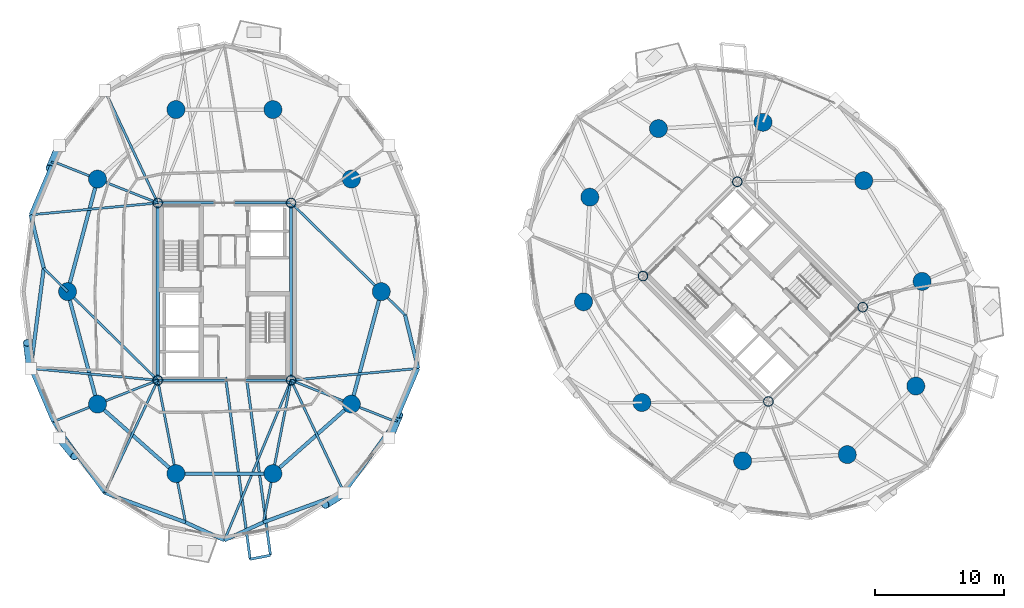
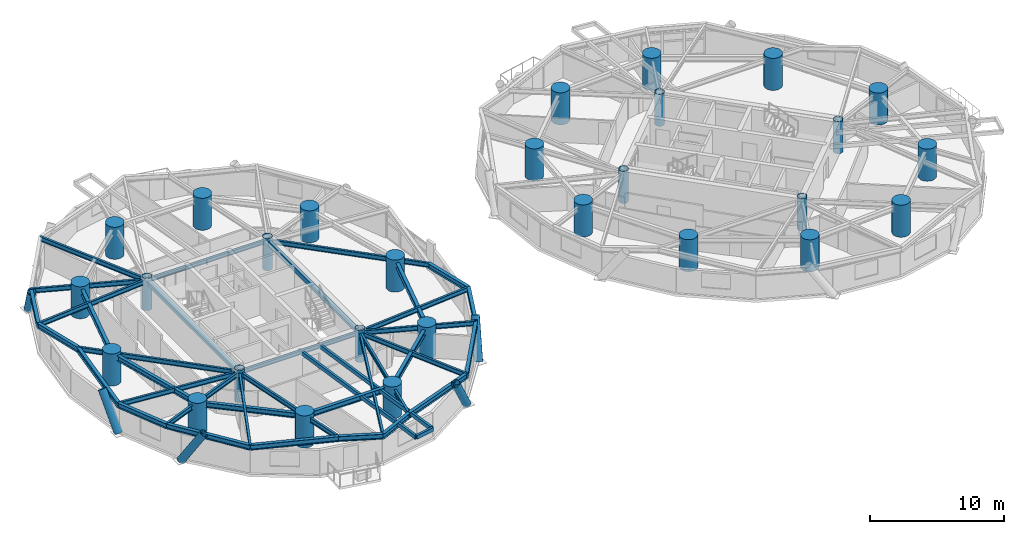
# One storey, part 1 of 18: 40 beams, 28 columns, 5 members.
"""IFC4 building model written with IfcOpenShell, lengths in metres."""

from ifc_helpers import new_model, si_unit, direction, frame, origin, origin_2d, place, context, subcontext, project, spatial, hollow_rectangle, circle, hollow_circle, i_section, extrude, material, material_profile, profile_set, type_object, element, save


model = new_model("IFC4")

# Units and contexts
model_context = context("Model", 3, precision=1e-05, world=origin(), true_north=direction((0.0, 1.0)))
body_context = subcontext(model_context, "Body", "Model", "MODEL_VIEW")
ifc_project = project(units=[si_unit("LENGTHUNIT", "METRE"), si_unit("AREAUNIT", "SQUARE_METRE"), si_unit("VOLUMEUNIT", "CUBIC_METRE"), si_unit("PLANEANGLEUNIT", "RADIAN"), si_unit("MASSUNIT", "GRAM", prefix="KILO")], contexts=[model_context])

# Site, building, storey
site_placement = place(None, origin())
site = spatial("IfcSite", under=ifc_project, at=site_placement, CompositionType="ELEMENT")
building_placement = place(site_placement, origin())
building = spatial("IfcBuilding", under=site, at=building_placement, Name="Cununo Teusaquillo Station Towers", CompositionType="ELEMENT")
storey_placement = place(building_placement, frame((0.0, 0.0, 119.6201171875)))
storey = spatial("IfcBuildingStorey", under=building, at=storey_placement, Name="L38", CompositionType="ELEMENT", Elevation=119.6201171875)

# Columns
ifc_material_1 = material(Name="Steel EN 10025-2 S355J2", Category="steel")
ifc_material_profile_1 = material_profile(ifc_material_1, hollow_circle(Radius=0.3798828125, WallThickness=0.031982421875, at=origin_2d()), Name="CHS 760x32")
ifc_profile_set_1 = profile_set([ifc_material_profile_1], Name="Steel EN 10025-2 S355J2")
column_type_1 = type_object("IfcColumnType", Name="COL-CORE-Z2", PredefinedType="COLUMN", material=ifc_profile_set_1)
for number, where, z_axis, x_axis, name in (
    (1, (11.324951171875, 17.6201171875, 0.0), (0.0, 0.0, 1.0), (1.0, 0.0, 0.0), "L38 Tower A Core Column 1"),
    (2, (11.324951171875, 31.3798828125, 0.0), (0.0, 0.0, 1.0), (1.0, 0.0, 0.0), "L38 Tower A Core Column 2"),
    (3, (21.675048828125, 17.6201171875, 0.0), (0.0, 0.0, 1.0), (1.0, 0.0, 0.0), "L38 Tower A Core Column 3"),
    (4, (21.675048828125, 31.3798828125, 0.0), (0.0, 0.0, 1.0), (1.0, 0.0, 0.0), "L38 Tower A Core Column 4"),
    (5, (58.70556640625, 15.975830078125, 0.0), (0.0, 0.0, 1.0), (0.707106781187, 0.707106781187, 0.0), "L38 Tower B Core Column 1"),
    (6, (48.975830078125, 25.70556640625, 0.0), (0.0, 0.0, 1.0), (0.707106781187, 0.707106781187, 0.0), "L38 Tower B Core Column 2"),
    (7, (66.024169921875, 23.29443359375, 0.0), (0.0, 0.0, 1.0), (0.707106781187, 0.707106781187, 0.0), "L38 Tower B Core Column 3"),
    (8, (56.29443359375, 33.024169921875, 0.0), (0.0, 0.0, 1.0), (0.707106781187, 0.707106781187, 0.0), "L38 Tower B Core Column 4"),
):
    element("IfcColumn", number, at=place(storey_placement, frame(where, z_axis=z_axis, x_axis=x_axis)), inside=storey, type_object=column_type_1, Name=name, PredefinedType="COLUMN", context=body_context, shape_type="SweptSolid", body=[
        extrude(hollow_circle(Radius=0.3798828125, WallThickness=0.031982421875, at=origin_2d()), origin(), (0.0, 0.0, 1.0), 2.909912109375),
    ])
ifc_material_2 = material(Name="Concrete C60/75", Category="concrete")
ifc_material_profile_2 = material_profile(ifc_material_2, circle(Radius=0.699951171875, at=origin_2d()), Name="RC-CIRC-1400")
ifc_profile_set_2 = profile_set([ifc_material_profile_2], Name="Concrete C60/75")
column_type_2 = type_object("IfcColumnType", Name="COL-MEGA-Z2", PredefinedType="USERDEFINED", material=ifc_profile_set_2)
for number, where, z_axis, x_axis, name in (
    (9, (28.672119140625, 24.5, 0.0), (0.0, 0.0, 1.0), (1.0, 0.0, 0.0), "L38 Tower A Perimeter Column V00"),
    (10, (26.347412109375, 33.228515625, 0.0), (0.0, 0.0, 1.0), (1.0, 0.0, 0.0), "L38 Tower A Perimeter Column V02"),
    (11, (20.261474609375, 38.623291015625, 0.0), (0.0, 0.0, 1.0), (1.0, 0.0, 0.0), "L38 Tower A Perimeter Column V04"),
    (12, (12.738525390625, 38.623291015625, 0.0), (0.0, 0.0, 1.0), (1.0, 0.0, 0.0), "L38 Tower A Perimeter Column V06"),
    (13, (6.652587890625, 33.228515625, 0.0), (0.0, 0.0, 1.0), (1.0, 0.0, 0.0), "L38 Tower A Perimeter Column V08"),
    (14, (4.327880859375, 24.5, 0.0), (0.0, 0.0, 1.0), (1.0, 0.0, 0.0), "L38 Tower A Perimeter Column V10"),
    (15, (6.652587890625, 15.771484375, 0.0), (0.0, 0.0, 1.0), (1.0, 0.0, 0.0), "L38 Tower A Perimeter Column V12"),
    (16, (12.738525390625, 10.376708984375, 0.0), (0.0, 0.0, 1.0), (1.0, 0.0, 0.0), "L38 Tower A Perimeter Column V14"),
    (17, (20.261474609375, 10.376708984375, 0.0), (0.0, 0.0, 1.0), (1.0, 0.0, 0.0), "L38 Tower A Perimeter Column V16"),
    (18, (26.347412109375, 15.771484375, 0.0), (0.0, 0.0, 1.0), (1.0, 0.0, 0.0), "L38 Tower A Perimeter Column V18"),
    (19, (66.10693359375, 33.10693359375, 0.0), (0.0, 0.0, 1.0), (1.0, 0.0, 0.0), "L38 Tower B Perimeter Column V00"),
    (20, (58.291015625, 37.63525390625, 0.0), (0.0, 0.0, 1.0), (1.0, 0.0, 0.0), "L38 Tower B Perimeter Column V02"),
    (21, (50.173095703125, 37.146240234375, 0.0), (0.0, 0.0, 1.0), (1.0, 0.0, 0.0), "L38 Tower B Perimeter Column V04"),
    (22, (44.853759765625, 31.826904296875, 0.0), (0.0, 0.0, 1.0), (1.0, 0.0, 0.0), "L38 Tower B Perimeter Column V06"),
    (23, (44.36474609375, 23.708984375, 0.0), (0.0, 0.0, 1.0), (1.0, 0.0, 0.0), "L38 Tower B Perimeter Column V08"),
    (24, (48.89306640625, 15.89306640625, 0.0), (0.0, 0.0, 1.0), (1.0, 0.0, 0.0), "L38 Tower B Perimeter Column V10"),
    (25, (56.708984375, 11.36474609375, 0.0), (0.0, 0.0, 1.0), (1.0, 0.0, 0.0), "L38 Tower B Perimeter Column V12"),
    (26, (64.826904296875, 11.853759765625, 0.0), (0.0, 0.0, 1.0), (1.0, 0.0, 0.0), "L38 Tower B Perimeter Column V14"),
    (27, (70.146240234375, 17.173095703125, 0.0), (0.0, 0.0, 1.0), (1.0, 0.0, 0.0), "L38 Tower B Perimeter Column V16"),
    (28, (70.63525390625, 25.291015625, 0.0), (0.0, 0.0, 1.0), (1.0, 0.0, 0.0), "L38 Tower B Perimeter Column V18"),
):
    element("IfcColumn", number, at=place(storey_placement, frame(where, z_axis=z_axis, x_axis=x_axis)), inside=storey, type_object=column_type_2, Name=name, ObjectType="MEGA COLUMN", PredefinedType="USERDEFINED", context=body_context, shape_type="SweptSolid", body=[
        extrude(circle(Radius=0.699951171875, at=origin_2d()), origin(), (0.0, 0.0, 1.0), 2.909912109375),
    ])

# Beams
ifc_material_3 = material(Name="Steel EN 10025-2 S355J2", Category="steel")
ifc_material_profile_3 = material_profile(ifc_material_3, hollow_rectangle(XDim=0.199951171875, YDim=0.35009765625, WallThickness=0.013916015625, at=origin_2d()), Name="RHS 350x200x14")
ifc_profile_set_3 = profile_set([ifc_material_profile_3], Name="Steel EN 10025-2 S355J2")
beam_type_1 = type_object("IfcBeamType", Name="BM-BAL-CANT", PredefinedType="BEAM", material=ifc_profile_set_3)
beam_1_placement = place(storey_placement, frame((16.59130859375, 17.85009765625, 2.494873046875), z_axis=(0.133936551357, -0.990989909237, 0.0), x_axis=(0.990989909237, 0.133936551357, 0.0)))
element("IfcBeam", 29, at=beam_1_placement, inside=storey, type_object=beam_type_1, Name="L38 Tower A Balcony Cantilever Bracket 2A", PredefinedType="BEAM", context=body_context, shape_type="SweptSolid", body=[
    extrude(hollow_rectangle(XDim=0.199951171875, YDim=0.35009765625, WallThickness=0.013916015625, at=origin_2d()), origin(), (0.0, 0.0, 1.0), 14.24169921875),
])
beam_2_placement = place(storey_placement, frame((18.206298828125, 17.85009765625, 2.494873046875), z_axis=(0.133960678738, -0.990986648019, 0.0), x_axis=(0.990986648019, 0.133960678738, 0.0)))
element("IfcBeam", 30, at=beam_2_placement, inside=storey, type_object=beam_type_1, Name="L38 Tower A Balcony Cantilever Bracket 2B", PredefinedType="BEAM", context=body_context, shape_type="SweptSolid", body=[
    extrude(hollow_rectangle(XDim=0.199951171875, YDim=0.35009765625, WallThickness=0.013916015625, at=origin_2d()), origin(), (0.0, 0.0, 1.0), 13.9345703125),
])
ifc_material_4 = material(Name="Steel EN 10025-2 S355J2", Category="steel")
ifc_material_profile_4 = material_profile(ifc_material_4, hollow_rectangle(XDim=0.25, YDim=0.449951171875, WallThickness=0.01611328125, at=origin_2d()), Name="RHS 450x250x16")
ifc_profile_set_4 = profile_set([ifc_material_profile_4], Name="Steel EN 10025-2 S355J2")
beam_type_2 = type_object("IfcBeamType", Name="BM-COUP-1", PredefinedType="USERDEFINED", material=ifc_profile_set_4)
for number, where, z_axis, x_axis, name in (
    (31, (11.324951171875, 17.6201171875, 2.44482421875), (0.0, 1.0, 0.0), (-1.0, 0.0, 0.0), "L38 Tower A Core Beam 1"),
    (32, (21.675048828125, 17.6201171875, 2.44482421875), (0.0, 1.0, 0.0), (-1.0, 0.0, 0.0), "L38 Tower A Core Beam 2"),
):
    element("IfcBeam", number, at=place(storey_placement, frame(where, z_axis=z_axis, x_axis=x_axis)), inside=storey, type_object=beam_type_2, Name=name, ObjectType="COUPLING BEAM", PredefinedType="USERDEFINED", context=body_context, shape_type="SweptSolid", body=[
        extrude(hollow_rectangle(XDim=0.25, YDim=0.449951171875, WallThickness=0.01611328125, at=origin_2d()), origin(), (0.0, 0.0, 1.0), 13.759765625),
    ])
ifc_material_5 = material(Name="Steel ASTM A572 Grade 50", Category="steel")
ifc_material_profile_5 = material_profile(ifc_material_5, i_section(OverallWidth=0.180908203125, OverallDepth=0.4169921875, WebThickness=0.010986328125, FlangeThickness=0.018310546875, FilletRadius=0.012939453125, at=origin_2d()), Name="W16X57")
ifc_profile_set_5 = profile_set([ifc_material_profile_5], Name="Steel ASTM A572 Grade 50")
beam_type_3 = type_object("IfcBeamType", Name="BM-JOIST-1", PredefinedType="JOIST", material=ifc_profile_set_5)
beam_3_placement = place(storey_placement, frame((11.324951171875, 31.3798828125, 2.46142578125), z_axis=(-0.426319838016, 0.904572493344, 0.0), x_axis=(-0.904572493344, -0.426319838016, 0.0)))
element("IfcBeam", 33, at=beam_3_placement, inside=storey, type_object=beam_type_3, Name="L38 Tower A Radial Spandrel Joist V07", PredefinedType="JOIST", context=body_context, shape_type="SweptSolid", body=[
    extrude(i_section(OverallWidth=0.180908203125, OverallDepth=0.4169921875, WebThickness=0.010986328125, FlangeThickness=0.018310546875, FilletRadius=0.012939453125, at=origin_2d()), origin(), (0.0, 0.0, 1.0), 9.646728515625),
])
for number, where, z_axis, x_axis, name in (
    (34, (11.324951171875, 31.3798828125, 2.46142578125), (-0.995678537907, -0.09286683558, 0.0), (0.09286683558, -0.995678537907, 0.0), "L38 Tower A Radial Spandrel Joist V09"),
    (35, (11.324951171875, 17.6201171875, 2.46142578125), (-0.995678537907, 0.09286683558, 0.0), (-0.09286683558, -0.995678537907, 0.0), "L38 Tower A Radial Spandrel Joist V11"),
):
    element("IfcBeam", number, at=place(storey_placement, frame(where, z_axis=z_axis, x_axis=x_axis)), inside=storey, type_object=beam_type_3, Name=name, PredefinedType="JOIST", context=body_context, shape_type="SweptSolid", body=[
        extrude(i_section(OverallWidth=0.180908203125, OverallDepth=0.4169921875, WebThickness=0.010986328125, FlangeThickness=0.018310546875, FilletRadius=0.012939453125, at=origin_2d()), origin(), (0.0, 0.0, 1.0), 9.895263671875),
    ])
beam_4_placement = place(storey_placement, frame((11.324951171875, 17.6201171875, 2.46142578125), z_axis=(-0.426319838016, -0.904572493344, 0.0), x_axis=(0.904572493344, -0.426319838016, 0.0)))
element("IfcBeam", 36, at=beam_4_placement, inside=storey, type_object=beam_type_3, Name="L38 Tower A Radial Spandrel Joist V13", PredefinedType="JOIST", context=body_context, shape_type="SweptSolid", body=[
    extrude(i_section(OverallWidth=0.180908203125, OverallDepth=0.4169921875, WebThickness=0.010986328125, FlangeThickness=0.018310546875, FilletRadius=0.012939453125, at=origin_2d()), origin(), (0.0, 0.0, 1.0), 9.646728515625),
])
beam_5_placement = place(storey_placement, frame((21.675048828125, 17.6201171875, 2.46142578125), z_axis=(-0.38487837995, -0.922967297713, 0.0), x_axis=(0.922967297713, -0.38487837995, 0.0)))
element("IfcBeam", 37, at=beam_5_placement, inside=storey, type_object=beam_type_3, Name="L38 Tower A Radial Spandrel Joist V15", PredefinedType="JOIST", context=body_context, shape_type="SweptSolid", body=[
    extrude(i_section(OverallWidth=0.180908203125, OverallDepth=0.4169921875, WebThickness=0.010986328125, FlangeThickness=0.018310546875, FilletRadius=0.012939453125, at=origin_2d()), origin(), (0.0, 0.0, 1.0), 13.446044921875),
])
beam_6_placement = place(storey_placement, frame((21.675048828125, 17.6201171875, 2.46142578125), z_axis=(0.426319838016, -0.904572493344, 0.0), x_axis=(0.904572493344, 0.426319838016, 0.0)))
element("IfcBeam", 38, at=beam_6_placement, inside=storey, type_object=beam_type_3, Name="L38 Tower A Radial Spandrel Joist V17", PredefinedType="JOIST", context=body_context, shape_type="SweptSolid", body=[
    extrude(i_section(OverallWidth=0.180908203125, OverallDepth=0.4169921875, WebThickness=0.010986328125, FlangeThickness=0.018310546875, FilletRadius=0.012939453125, at=origin_2d()), origin(), (0.0, 0.0, 1.0), 9.646728515625),
])
beam_7_placement = place(storey_placement, frame((21.675048828125, 17.6201171875, 2.46142578125), z_axis=(0.995678537907, 0.09286683558, 0.0), x_axis=(-0.09286683558, 0.995678537907, 0.0)))
element("IfcBeam", 39, at=beam_7_placement, inside=storey, type_object=beam_type_3, Name="L38 Tower A Radial Spandrel Joist V19", PredefinedType="JOIST", context=body_context, shape_type="SweptSolid", body=[
    extrude(i_section(OverallWidth=0.180908203125, OverallDepth=0.4169921875, WebThickness=0.010986328125, FlangeThickness=0.018310546875, FilletRadius=0.012939453125, at=origin_2d()), origin(), (0.0, 0.0, 1.0), 9.895263671875),
])
ifc_material_6 = material(Name="Steel ASTM A572 Grade 50", Category="steel")
ifc_material_profile_6 = material_profile(ifc_material_6, i_section(OverallWidth=0.2041015625, OverallDepth=0.35009765625, WebThickness=0.008544921875, FlangeThickness=0.01513671875, FilletRadius=0.011962890625, at=origin_2d()), Name="W14X48")
ifc_profile_set_6 = profile_set([ifc_material_profile_6], Name="Steel ASTM A572 Grade 50")
beam_type_4 = type_object("IfcBeamType", Name="BM-LINTEL-1", PredefinedType="LINTEL", material=ifc_profile_set_6)
for number, where, z_axis, x_axis, name in (
    (40, (11.324951171875, 17.6201171875, 2.494873046875), (1.0, 0.0, 0.0), (0.0, 1.0, 0.0), "L38 Tower A Core Beam 3"),
    (41, (11.324951171875, 31.3798828125, 2.494873046875), (1.0, 0.0, 0.0), (0.0, 1.0, 0.0), "L38 Tower A Core Beam 4"),
):
    element("IfcBeam", number, at=place(storey_placement, frame(where, z_axis=z_axis, x_axis=x_axis)), inside=storey, type_object=beam_type_4, Name=name, PredefinedType="LINTEL", context=body_context, shape_type="SweptSolid", body=[
        extrude(i_section(OverallWidth=0.2041015625, OverallDepth=0.35009765625, WebThickness=0.008544921875, FlangeThickness=0.01513671875, FilletRadius=0.011962890625, at=origin_2d()), origin(), (0.0, 0.0, 1.0), 10.35009765625),
    ])
ifc_material_7 = material(Name="Steel ASTM A572 Grade 50", Category="steel")
ifc_material_profile_7 = material_profile(ifc_material_7, i_section(OverallWidth=0.180908203125, OverallDepth=0.4169921875, WebThickness=0.010986328125, FlangeThickness=0.018310546875, FilletRadius=0.012939453125, at=origin_2d()), Name="W16X57")
ifc_profile_set_7 = profile_set([ifc_material_profile_7], Name="Steel ASTM A572 Grade 50")
beam_type_5 = type_object("IfcBeamType", Name="BM-RAD-G2", PredefinedType="BEAM", material=ifc_profile_set_7)
beam_8_placement = place(storey_placement, frame((21.675048828125, 31.3798828125, 2.46142578125), z_axis=(0.713047137857, -0.701116095375, 0.0), x_axis=(0.701116095375, 0.713047137857, 0.0)))
element("IfcBeam", 42, at=beam_8_placement, inside=storey, type_object=beam_type_5, Name="L38 Tower A Continuous Overhanging Radial Girder 01", PredefinedType="BEAM", context=body_context, shape_type="SweptSolid", body=[
    extrude(i_section(OverallWidth=0.180908203125, OverallDepth=0.4169921875, WebThickness=0.010986328125, FlangeThickness=0.018310546875, FilletRadius=0.012939453125, at=origin_2d()), origin(), (0.0, 0.0, 1.0), 12.400390625),
])
beam_9_placement = place(storey_placement, frame((11.324951171875, 31.3798828125, 2.46142578125), z_axis=(-0.929863123823, 0.367905654963, 0.0), x_axis=(-0.367905654963, -0.929863123823, 0.0)))
element("IfcBeam", 43, at=beam_9_placement, inside=storey, type_object=beam_type_5, Name="L38 Tower A Continuous Overhanging Radial Girder 05", PredefinedType="BEAM", context=body_context, shape_type="SweptSolid", body=[
    extrude(i_section(OverallWidth=0.180908203125, OverallDepth=0.4169921875, WebThickness=0.010986328125, FlangeThickness=0.018310546875, FilletRadius=0.012939453125, at=origin_2d()), origin(), (0.0, 0.0, 1.0), 8.715087890625),
])
beam_10_placement = place(storey_placement, frame((11.324951171875, 17.6201171875, 2.46142578125), z_axis=(-0.713052701438, 0.701110437073, 0.0), x_axis=(-0.701110437073, -0.713052701438, 0.0)))
element("IfcBeam", 44, at=beam_10_placement, inside=storey, type_object=beam_type_5, Name="L38 Tower A Radial Girder 06A", PredefinedType="BEAM", context=body_context, shape_type="SweptSolid", body=[
    extrude(i_section(OverallWidth=0.180908203125, OverallDepth=0.4169921875, WebThickness=0.010986328125, FlangeThickness=0.018310546875, FilletRadius=0.012939453125, at=origin_2d()), origin(), (0.0, 0.0, 1.0), 9.812744140625),
])
beam_11_placement = place(storey_placement, frame((4.327880859375, 24.5, 2.46142578125), z_axis=(-0.7130260383, 0.701137553342, 0.0), x_axis=(-0.701137553342, -0.7130260383, 0.0)))
element("IfcBeam", 45, at=beam_11_placement, inside=storey, type_object=beam_type_5, Name="L38 Tower A Perimeter Overhang Girder 06B", PredefinedType="BEAM", context=body_context, shape_type="SweptSolid", body=[
    extrude(i_section(OverallWidth=0.180908203125, OverallDepth=0.4169921875, WebThickness=0.010986328125, FlangeThickness=0.018310546875, FilletRadius=0.012939453125, at=origin_2d()), origin(), (0.0, 0.0, 1.0), 2.58740234375),
])
beam_12_placement = place(storey_placement, frame((11.324951171875, 17.6201171875, 2.46142578125), z_axis=(-0.929863123823, -0.367905654963, 0.0), x_axis=(0.367905654963, -0.929863123823, 0.0)))
element("IfcBeam", 46, at=beam_12_placement, inside=storey, type_object=beam_type_5, Name="L38 Tower A Continuous Overhanging Radial Girder 07", PredefinedType="BEAM", context=body_context, shape_type="SweptSolid", body=[
    extrude(i_section(OverallWidth=0.180908203125, OverallDepth=0.4169921875, WebThickness=0.010986328125, FlangeThickness=0.018310546875, FilletRadius=0.012939453125, at=origin_2d()), origin(), (0.0, 0.0, 1.0), 8.715087890625),
])
for number, where, z_axis, x_axis, name in (
    (47, (11.324951171875, 17.6201171875, 2.46142578125), (0.191552755713, -0.981482318628, 0.0), (0.981482318628, 0.191552755713, 0.0), "L38 Tower A Continuous Overhanging Radial Girder 08"),
    (48, (21.675048828125, 17.6201171875, 2.46142578125), (-0.191552755713, -0.981482318628, 0.0), (0.981482318628, -0.191552755713, 0.0), "L38 Tower A Continuous Overhanging Radial Girder 09"),
):
    element("IfcBeam", number, at=place(storey_placement, frame(where, z_axis=z_axis, x_axis=x_axis)), inside=storey, type_object=beam_type_5, Name=name, PredefinedType="BEAM", context=body_context, shape_type="SweptSolid", body=[
        extrude(i_section(OverallWidth=0.180908203125, OverallDepth=0.4169921875, WebThickness=0.010986328125, FlangeThickness=0.018310546875, FilletRadius=0.012939453125, at=origin_2d()), origin(), (0.0, 0.0, 1.0), 11.22998046875),
    ])
beam_13_placement = place(storey_placement, frame((21.675048828125, 17.6201171875, 2.46142578125), z_axis=(0.929863123823, -0.367905654963, 0.0), x_axis=(0.367905654963, 0.929863123823, 0.0)))
element("IfcBeam", 49, at=beam_13_placement, inside=storey, type_object=beam_type_5, Name="L38 Tower A Continuous Overhanging Radial Girder 10", PredefinedType="BEAM", context=body_context, shape_type="SweptSolid", body=[
    extrude(i_section(OverallWidth=0.180908203125, OverallDepth=0.4169921875, WebThickness=0.010986328125, FlangeThickness=0.018310546875, FilletRadius=0.012939453125, at=origin_2d()), origin(), (0.0, 0.0, 1.0), 8.715087890625),
])
ifc_material_8 = material(Name="Steel ASTM A572 Grade 50", Category="steel")
ifc_material_profile_8 = material_profile(ifc_material_8, i_section(OverallWidth=0.280029296875, OverallDepth=0.462890625, WebThickness=0.0107421875, FlangeThickness=0.017333984375, FilletRadius=0.013916015625, at=origin_2d()), Name="W18X76")
ifc_profile_set_8 = profile_set([ifc_material_profile_8], Name="Steel ASTM A572 Grade 50")
beam_type_6 = type_object("IfcBeamType", Name="BM-RING-Z2", PredefinedType="SPANDREL", material=ifc_profile_set_8)
for number, where, z_axis, x_axis, name in (
    (50, (6.652587890625, 33.228515625, 2.4384765625), (-0.257363196347, -0.966314744359, 0.0), (0.966314744359, -0.257363196347, 0.0), "L38 Tower A Structural Column Ring Girder 05"),
    (51, (4.327880859375, 24.5, 2.4384765625), (0.257363196347, -0.966314744359, 0.0), (0.966314744359, 0.257363196347, 0.0), "L38 Tower A Structural Column Ring Girder 06"),
):
    element("IfcBeam", number, at=place(storey_placement, frame(where, z_axis=z_axis, x_axis=x_axis)), inside=storey, type_object=beam_type_6, Name=name, PredefinedType="SPANDREL", context=body_context, shape_type="SweptSolid", body=[
        extrude(i_section(OverallWidth=0.280029296875, OverallDepth=0.462890625, WebThickness=0.0107421875, FlangeThickness=0.017333984375, FilletRadius=0.013916015625, at=origin_2d()), origin(), (0.0, 0.0, 1.0), 9.03271484375),
    ])
beam_14_placement = place(storey_placement, frame((6.652587890625, 15.771484375, 2.4384765625), z_axis=(0.74832120039, -0.66333655187, 0.0), x_axis=(0.66333655187, 0.74832120039, 0.0)))
element("IfcBeam", 52, at=beam_14_placement, inside=storey, type_object=beam_type_6, Name="L38 Tower A Structural Column Ring Girder 07", PredefinedType="SPANDREL", context=body_context, shape_type="SweptSolid", body=[
    extrude(i_section(OverallWidth=0.280029296875, OverallDepth=0.462890625, WebThickness=0.0107421875, FlangeThickness=0.017333984375, FilletRadius=0.013916015625, at=origin_2d()), origin(), (0.0, 0.0, 1.0), 8.1328125),
])
beam_15_placement = place(storey_placement, frame((12.738525390625, 10.376708984375, 2.4384765625), z_axis=(1.0, 0.0, 0.0), x_axis=(0.0, 1.0, 0.0)))
element("IfcBeam", 53, at=beam_15_placement, inside=storey, type_object=beam_type_6, Name="L38 Tower A Structural Column Ring Girder 08", PredefinedType="SPANDREL", context=body_context, shape_type="SweptSolid", body=[
    extrude(i_section(OverallWidth=0.280029296875, OverallDepth=0.462890625, WebThickness=0.0107421875, FlangeThickness=0.017333984375, FilletRadius=0.013916015625, at=origin_2d()), origin(), (0.0, 0.0, 1.0), 7.52294921875),
])
beam_16_placement = place(storey_placement, frame((20.261474609375, 10.376708984375, 2.4384765625), z_axis=(0.74832120039, 0.66333655187, 0.0), x_axis=(-0.66333655187, 0.74832120039, 0.0)))
element("IfcBeam", 54, at=beam_16_placement, inside=storey, type_object=beam_type_6, Name="L38 Tower A Structural Column Ring Girder 09", PredefinedType="SPANDREL", context=body_context, shape_type="SweptSolid", body=[
    extrude(i_section(OverallWidth=0.280029296875, OverallDepth=0.462890625, WebThickness=0.0107421875, FlangeThickness=0.017333984375, FilletRadius=0.013916015625, at=origin_2d()), origin(), (0.0, 0.0, 1.0), 8.1328125),
])
beam_17_placement = place(storey_placement, frame((26.347412109375, 15.771484375, 2.4384765625), z_axis=(0.257363196347, 0.966314744359, 0.0), x_axis=(-0.966314744359, 0.257363196347, 0.0)))
element("IfcBeam", 55, at=beam_17_placement, inside=storey, type_object=beam_type_6, Name="L38 Tower A Structural Column Ring Girder 10", PredefinedType="SPANDREL", context=body_context, shape_type="SweptSolid", body=[
    extrude(i_section(OverallWidth=0.280029296875, OverallDepth=0.462890625, WebThickness=0.0107421875, FlangeThickness=0.017333984375, FilletRadius=0.013916015625, at=origin_2d()), origin(), (0.0, 0.0, 1.0), 9.03271484375),
])
beam_18_placement = place(storey_placement, frame((3.22119140625, 34.586181640625, 2.4384765625), z_axis=(-0.390299356049, -0.920688010494, 0.0), x_axis=(0.920688010494, -0.390299356049, 0.0)))
element("IfcBeam", 56, at=beam_18_placement, inside=storey, type_object=beam_type_6, Name="L38 Tower A Spandrel Ring Beam 09", PredefinedType="SPANDREL", context=body_context, shape_type="SweptSolid", body=[
    extrude(i_section(OverallWidth=0.280029296875, OverallDepth=0.462890625, WebThickness=0.0107421875, FlangeThickness=0.017333984375, FilletRadius=0.013916015625, at=origin_2d()), origin(), (0.0, 0.0, 1.0), 4.480712890625),
])
beam_19_placement = place(storey_placement, frame((1.472412109375, 30.4609375, 2.4384765625), z_axis=(0.236757334703, -0.971568816124, 0.0), x_axis=(0.971568816124, 0.236757334703, 0.0)))
element("IfcBeam", 57, at=beam_19_placement, inside=storey, type_object=beam_type_6, Name="L38 Tower A Spandrel Ring Beam 10", PredefinedType="SPANDREL", context=body_context, shape_type="SweptSolid", body=[
    extrude(i_section(OverallWidth=0.280029296875, OverallDepth=0.462890625, WebThickness=0.0107421875, FlangeThickness=0.017333984375, FilletRadius=0.013916015625, at=origin_2d()), origin(), (0.0, 0.0, 1.0), 4.26806640625),
])
beam_20_placement = place(storey_placement, frame((2.48291015625, 26.314208984375, 2.4384765625), z_axis=(-0.12888124113, -0.991660035337, 0.0), x_axis=(0.991660035337, -0.12888124113, 0.0)))
element("IfcBeam", 58, at=beam_20_placement, inside=storey, type_object=beam_type_6, Name="L38 Tower A Spandrel Ring Beam 11", PredefinedType="SPANDREL", context=body_context, shape_type="SweptSolid", body=[
    extrude(i_section(OverallWidth=0.280029296875, OverallDepth=0.462890625, WebThickness=0.0107421875, FlangeThickness=0.017333984375, FilletRadius=0.013916015625, at=origin_2d()), origin(), (0.0, 0.0, 1.0), 7.840576171875),
])
beam_21_placement = place(storey_placement, frame((1.472412109375, 18.5390625, 2.4384765625), z_axis=(0.390299356049, -0.920688010494, 0.0), x_axis=(0.920688010494, 0.390299356049, 0.0)))
element("IfcBeam", 59, at=beam_21_placement, inside=storey, type_object=beam_type_6, Name="L38 Tower A Spandrel Ring Beam 12", PredefinedType="SPANDREL", context=body_context, shape_type="SweptSolid", body=[
    extrude(i_section(OverallWidth=0.280029296875, OverallDepth=0.462890625, WebThickness=0.0107421875, FlangeThickness=0.017333984375, FilletRadius=0.013916015625, at=origin_2d()), origin(), (0.0, 0.0, 1.0), 4.480712890625),
])
beam_22_placement = place(storey_placement, frame((3.22119140625, 14.413818359375, 2.4384765625), z_axis=(0.58594455724, -0.810351143543, 0.0), x_axis=(0.810351143543, 0.58594455724, 0.0)))
element("IfcBeam", 60, at=beam_22_placement, inside=storey, type_object=beam_type_6, Name="L38 Tower A Spandrel Ring Beam 13", PredefinedType="SPANDREL", context=body_context, shape_type="SweptSolid", body=[
    extrude(i_section(OverallWidth=0.280029296875, OverallDepth=0.462890625, WebThickness=0.0107421875, FlangeThickness=0.017333984375, FilletRadius=0.013916015625, at=origin_2d()), origin(), (0.0, 0.0, 1.0), 6.8115234375),
])
beam_23_placement = place(storey_placement, frame((7.21240234375, 8.89404296875, 2.4384765625), z_axis=(0.938914161016, -0.34415141761, 0.0), x_axis=(0.34415141761, 0.938914161016, 0.0)))
element("IfcBeam", 61, at=beam_23_placement, inside=storey, type_object=beam_type_6, Name="L38 Tower A Spandrel Ring Beam 14", PredefinedType="SPANDREL", context=body_context, shape_type="SweptSolid", body=[
    extrude(i_section(OverallWidth=0.280029296875, OverallDepth=0.462890625, WebThickness=0.0107421875, FlangeThickness=0.017333984375, FilletRadius=0.013916015625, at=origin_2d()), origin(), (0.0, 0.0, 1.0), 6.671142578125),
])
for number, where, z_axis, x_axis, name in (
    (62, (13.47607421875, 6.59814453125, 2.4384765625), (0.908812215281, -0.417205413862, 0.0), (0.417205413862, 0.908812215281, 0.0), "L38 Tower A Spandrel Ring Beam 15"),
    (63, (16.5, 5.2099609375, 2.4384765625), (0.908812215281, 0.417205413862, 0.0), (-0.417205413862, 0.908812215281, 0.0), "L38 Tower A Spandrel Ring Beam 16"),
):
    element("IfcBeam", number, at=place(storey_placement, frame(where, z_axis=z_axis, x_axis=x_axis)), inside=storey, type_object=beam_type_6, Name=name, PredefinedType="SPANDREL", context=body_context, shape_type="SweptSolid", body=[
        extrude(i_section(OverallWidth=0.280029296875, OverallDepth=0.462890625, WebThickness=0.0107421875, FlangeThickness=0.017333984375, FilletRadius=0.013916015625, at=origin_2d()), origin(), (0.0, 0.0, 1.0), 3.327392578125),
    ])
beam_24_placement = place(storey_placement, frame((19.52392578125, 6.59814453125, 2.4384765625), z_axis=(0.938914161016, 0.34415141761, 0.0), x_axis=(-0.34415141761, 0.938914161016, 0.0)))
element("IfcBeam", 64, at=beam_24_placement, inside=storey, type_object=beam_type_6, Name="L38 Tower A Spandrel Ring Beam 17", PredefinedType="SPANDREL", context=body_context, shape_type="SweptSolid", body=[
    extrude(i_section(OverallWidth=0.280029296875, OverallDepth=0.462890625, WebThickness=0.0107421875, FlangeThickness=0.017333984375, FilletRadius=0.013916015625, at=origin_2d()), origin(), (0.0, 0.0, 1.0), 6.671142578125),
])
beam_25_placement = place(storey_placement, frame((25.78759765625, 8.89404296875, 2.4384765625), z_axis=(0.58594455724, 0.810351143543, 0.0), x_axis=(-0.810351143543, 0.58594455724, 0.0)))
element("IfcBeam", 65, at=beam_25_placement, inside=storey, type_object=beam_type_6, Name="L38 Tower A Spandrel Ring Beam 18", PredefinedType="SPANDREL", context=body_context, shape_type="SweptSolid", body=[
    extrude(i_section(OverallWidth=0.280029296875, OverallDepth=0.462890625, WebThickness=0.0107421875, FlangeThickness=0.017333984375, FilletRadius=0.013916015625, at=origin_2d()), origin(), (0.0, 0.0, 1.0), 6.8115234375),
])
beam_26_placement = place(storey_placement, frame((29.77880859375, 14.413818359375, 2.4384765625), z_axis=(0.390299356049, 0.920688010494, 0.0), x_axis=(-0.920688010494, 0.390299356049, 0.0)))
element("IfcBeam", 66, at=beam_26_placement, inside=storey, type_object=beam_type_6, Name="L38 Tower A Spandrel Ring Beam 19", PredefinedType="SPANDREL", context=body_context, shape_type="SweptSolid", body=[
    extrude(i_section(OverallWidth=0.280029296875, OverallDepth=0.462890625, WebThickness=0.0107421875, FlangeThickness=0.017333984375, FilletRadius=0.013916015625, at=origin_2d()), origin(), (0.0, 0.0, 1.0), 4.480712890625),
])
beam_27_placement = place(storey_placement, frame((31.527587890625, 18.5390625, 2.4384765625), z_axis=(-0.236757334703, 0.971568816124, 0.0), x_axis=(-0.971568816124, -0.236757334703, 0.0)))
element("IfcBeam", 67, at=beam_27_placement, inside=storey, type_object=beam_type_6, Name="L38 Tower A Spandrel Ring Beam 20", PredefinedType="SPANDREL", context=body_context, shape_type="SweptSolid", body=[
    extrude(i_section(OverallWidth=0.280029296875, OverallDepth=0.462890625, WebThickness=0.0107421875, FlangeThickness=0.017333984375, FilletRadius=0.013916015625, at=origin_2d()), origin(), (0.0, 0.0, 1.0), 4.26806640625),
])
ifc_material_9 = material(Name="Steel EN 10025-2 S355J2", Category="steel")
ifc_material_profile_9 = material_profile(ifc_material_9, hollow_rectangle(XDim=0.199951171875, YDim=0.35009765625, WallThickness=0.013916015625, at=origin_2d()), Name="RHS 350x200x14")
ifc_profile_set_9 = profile_set([ifc_material_profile_9], Name="Steel EN 10025-2 S355J2")
beam_type_7 = type_object("IfcBeamType", Name="BM-STAIR-TRIM", PredefinedType="BEAM", material=ifc_profile_set_9)
beam_28_placement = place(storey_placement, frame((18.498779296875, 3.73681640625, 2.52490234375), z_axis=(0.981836621572, 0.189728354603, 0.0), x_axis=(-0.189728354603, 0.981836621572, 0.0)))
element("IfcBeam", 68, at=beam_28_placement, inside=storey, type_object=beam_type_7, Name="L38 Tower A Balcony Edge Trimmer Beam 2", PredefinedType="BEAM", context=body_context, shape_type="SweptSolid", body=[
    extrude(hollow_rectangle(XDim=0.199951171875, YDim=0.35009765625, WallThickness=0.013916015625, at=origin_2d()), origin(), (0.0, 0.0, 1.0), 1.603271484375),
])

# Members
ifc_material_10 = material(Name="Steel EN 10025-2 S355J2", Category="steel")
ifc_material_profile_10 = material_profile(ifc_material_10, hollow_circle(Radius=0.330078125, WallThickness=0.02490234375, at=origin_2d()), Name="CHS 660x25")
ifc_profile_set_10 = profile_set([ifc_material_profile_10], Name="Steel EN 10025-2 S355J2")
member_type = type_object("IfcMemberType", Name="MBR-DIAG-Z2", PredefinedType="BRACE", material=ifc_profile_set_10)
member_1_placement = place(storey_placement, frame((3.716796875, 35.83837890625, -0.14013671875), z_axis=(-0.213880258627, -0.512335679883, 0.831725547334), x_axis=(0.922816406816, -0.385240028179, 0.0)))
element("IfcMember", 69, at=member_1_placement, inside=storey, type_object=member_type, Name="L38 Tower A Folded-Zigzag Diagrid Tube C08", PredefinedType="BRACE", context=body_context, shape_type="SweptSolid", body=[
    extrude(hollow_circle(Radius=0.330078125, WallThickness=0.02490234375, at=origin_2d()), origin(), (0.0, 0.0, 1.0), 3.49853515625),
])
member_2_placement = place(storey_placement, frame((1.472412109375, 18.5390625, -0.14013671875), z_axis=(-0.072971585914, 0.562420206205, 0.823625314874), x_axis=(-0.991687829619, -0.128667200894, 0.0)))
element("IfcMember", 70, at=member_2_placement, inside=storey, type_object=member_type, Name="L38 Tower A Folded-Zigzag Diagrid Tube C10", PredefinedType="BRACE", context=body_context, shape_type="SweptSolid", body=[
    extrude(hollow_circle(Radius=0.330078125, WallThickness=0.02490234375, at=origin_2d()), origin(), (0.0, 0.0, 1.0), 3.532958984375),
])
member_3_placement = place(storey_placement, frame((3.716796875, 13.16162109375, -0.14013671875), z_axis=(0.33845803995, -0.413284786, 0.845364915793), x_axis=(0.773667352654, 0.633592003924, 0.0)))
element("IfcMember", 71, at=member_3_placement, inside=storey, type_object=member_type, Name="L38 Tower A Folded-Zigzag Diagrid Tube C12", PredefinedType="BRACE", context=body_context, shape_type="SweptSolid", body=[
    extrude(hollow_circle(Radius=0.330078125, WallThickness=0.02490234375, at=origin_2d()), origin(), (0.0, 0.0, 1.0), 3.442138671875),
])
member_4_placement = place(storey_placement, frame((25.78759765625, 8.89404296875, -0.14013671875), z_axis=(-0.433768032271, -0.269824776975, 0.859674289432), x_axis=(0.528195574716, -0.849122744278, 0.0)))
element("IfcMember", 72, at=member_4_placement, inside=storey, type_object=member_type, Name="L38 Tower A Folded-Zigzag Diagrid Tube C16", PredefinedType="BRACE", context=body_context, shape_type="SweptSolid", body=[
    extrude(hollow_circle(Radius=0.330078125, WallThickness=0.02490234375, at=origin_2d()), origin(), (0.0, 0.0, 1.0), 3.385009765625),
])
member_5_placement = place(storey_placement, frame((29.283203125, 13.16162109375, -0.14013671875), z_axis=(0.213880258627, 0.512335679883, 0.831725547334), x_axis=(-0.922816406816, 0.385240028179, 0.0)))
element("IfcMember", 73, at=member_5_placement, inside=storey, type_object=member_type, Name="L38 Tower A Folded-Zigzag Diagrid Tube C18", PredefinedType="BRACE", context=body_context, shape_type="SweptSolid", body=[
    extrude(hollow_circle(Radius=0.330078125, WallThickness=0.02490234375, at=origin_2d()), origin(), (0.0, 0.0, 1.0), 3.49853515625),
])

save(model, "model.ifc")
